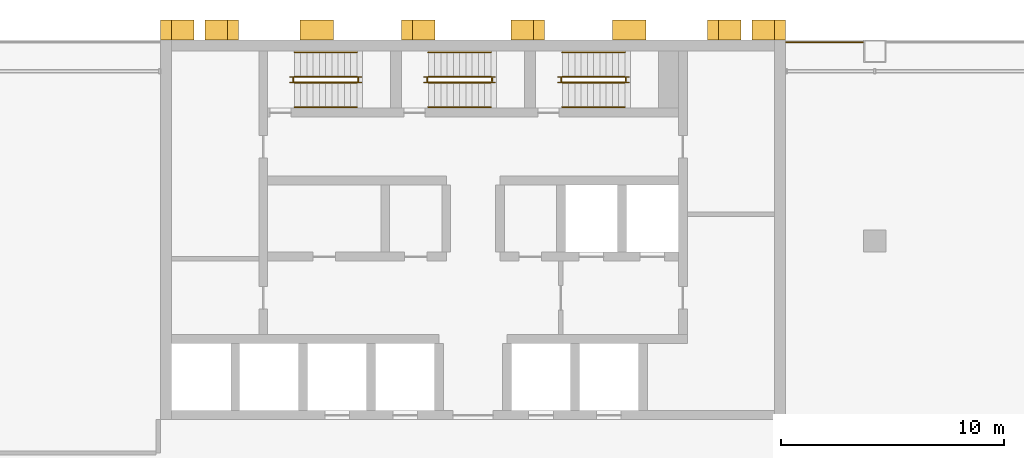
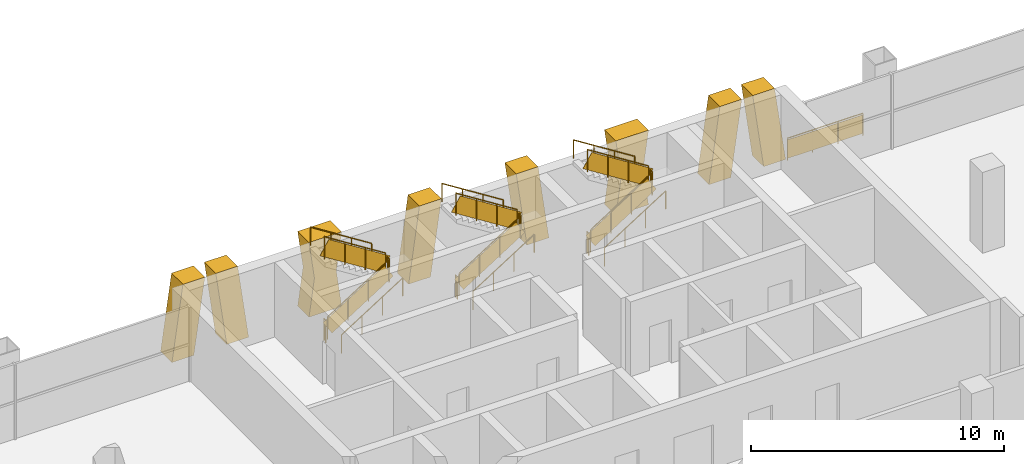
# One storey, part 15 of 16: 19 railings, 8 shading devices.
"""IFC4 building model written with IfcOpenShell, lengths in metres."""

from ifc_helpers import new_model, si_unit, direction, frame, origin, origin_2d, place, context, subcontext, project, spatial, polyline, rectangle, circle, outline, extrude, material, layer, layer_set, type_object, element, save


model = new_model("IFC4")

# Units and contexts
model_context = context("Model", 3, precision=1e-05, world=origin(), true_north=direction((0.0, 1.0)))
body_context = subcontext(model_context, "Body", "Model", "MODEL_VIEW")
ifc_project = project(units=[si_unit("LENGTHUNIT", "METRE"), si_unit("AREAUNIT", "SQUARE_METRE"), si_unit("VOLUMEUNIT", "CUBIC_METRE"), si_unit("PLANEANGLEUNIT", "RADIAN"), si_unit("MASSUNIT", "GRAM", prefix="KILO")], contexts=[model_context])

# Site, building, storey
site_placement = place(None, origin())
site = spatial("IfcSite", under=ifc_project, at=site_placement, CompositionType="ELEMENT")
building_placement = place(site_placement, origin())
building = spatial("IfcBuilding", under=site, at=building_placement, Name="Vidyagriha Tower", CompositionType="ELEMENT")
storey_placement = place(building_placement, frame((0.0, 0.0, 26.0)))
storey = spatial("IfcBuildingStorey", under=building, at=storey_placement, Name="L06", CompositionType="ELEMENT", Elevation=26.0)

# Shading devices
ifc_material_1 = material(Name="Precast concrete C40/50 with brick facing", Category="concrete")
ifc_layer_1 = layer(ifc_material_1, 1.0)
ifc_layer_set_1 = layer_set([ifc_layer_1], Name="Precast concrete C40/50 with brick facing")
shading_device_type_1 = type_object("IfcShadingDeviceType", Name="Brick-faced rear rib arm leaning 8 degrees", PredefinedType="USERDEFINED", material=ifc_layer_set_1)
shading_device_1_placement = place(storey_placement, frame((14.0, 20.449951171875, 0.0), z_axis=(0.0, 0.0, 1.0), x_axis=(-1.0, 0.0, 0.0)))
element("IfcShadingDevice", 1, at=shading_device_1_placement, inside=storey, type_object=shading_device_type_1, Name="Rear rib arm L06 R08.1a", ObjectType="BLADE FIN", PredefinedType="USERDEFINED", context=body_context, shape_type="SweptSolid", body=[
    extrude(outline(polyline([(0.0, 0.0), (1.0, 0.0), (1.5, 3.60009765625), (0.5, 3.60009765625), (0.0, 0.0)])), frame((0.0, 0.449951171875, 0.0), z_axis=(0.0, -1.0, 0.0), x_axis=(1.0, 0.0, 0.0)), (0.0, 0.0, 1.0), 0.89990234375),
])
shading_device_2_placement = place(storey_placement, frame((12.0, 20.449951171875, 0.0), z_axis=(0.0, 0.0, 1.0), x_axis=(-1.0, 0.0, 0.0)))
element("IfcShadingDevice", 2, at=shading_device_2_placement, inside=storey, type_object=shading_device_type_1, Name="Rear rib arm L06 R08.1b", ObjectType="BLADE FIN", PredefinedType="USERDEFINED", context=body_context, shape_type="SweptSolid", body=[
    extrude(outline(polyline([(0.5, 0.0), (1.5, 0.0), (1.0, 3.60009765625), (0.0, 3.60009765625), (0.5, 0.0)])), frame((0.0, 0.449951171875, 0.0), z_axis=(0.0, -1.0, 0.0), x_axis=(1.0, 0.0, 0.0)), (0.0, 0.0, 1.0), 0.89990234375),
])
shading_device_3_placement = place(storey_placement, frame((3.199951171875, 20.449951171875, 0.0), z_axis=(0.0, 0.0, 1.0), x_axis=(-1.0, 0.0, 0.0)))
element("IfcShadingDevice", 3, at=shading_device_3_placement, inside=storey, type_object=shading_device_type_1, Name="Rear rib arm L06 R08.3a", ObjectType="BLADE FIN", PredefinedType="USERDEFINED", context=body_context, shape_type="SweptSolid", body=[
    extrude(outline(polyline([(0.0, 0.0), (1.0, 0.0), (1.490966796875, 3.60009765625), (0.490966796875, 3.60009765625), (0.0, 0.0)])), frame((0.0, 0.449951171875, 0.0), z_axis=(0.0, -1.0, 0.0), x_axis=(1.0, 0.0, 0.0)), (0.0, 0.0, 1.0), 0.89990234375),
])
shading_device_4_placement = place(storey_placement, frame((-1.708984375, 20.449951171875, 0.0), z_axis=(0.0, 0.0, 1.0), x_axis=(-1.0, 0.0, 0.0)))
element("IfcShadingDevice", 4, at=shading_device_4_placement, inside=storey, type_object=shading_device_type_1, Name="Rear rib arm L06 R08.3b", ObjectType="BLADE FIN", PredefinedType="USERDEFINED", context=body_context, shape_type="SweptSolid", body=[
    extrude(outline(polyline([(0.490966796875, 0.0), (1.490966796875, 0.0), (1.0, 3.60009765625), (0.0, 3.60009765625), (0.490966796875, 0.0)])), frame((0.0, 0.449951171875, 0.0), z_axis=(0.0, -1.0, 0.0), x_axis=(1.0, 0.0, 0.0)), (0.0, 0.0, 1.0), 0.89990234375),
])
shading_device_5_placement = place(storey_placement, frame((-10.5, 20.449951171875, 0.0), z_axis=(0.0, 0.0, 1.0), x_axis=(-1.0, 0.0, 0.0)))
element("IfcShadingDevice", 5, at=shading_device_5_placement, inside=storey, type_object=shading_device_type_1, Name="Rear rib arm L06 R08.5a", ObjectType="BLADE FIN", PredefinedType="USERDEFINED", context=body_context, shape_type="SweptSolid", body=[
    extrude(outline(polyline([(0.0, 0.0), (1.0, 0.0), (1.5, 3.60009765625), (0.5, 3.60009765625), (0.0, 0.0)])), frame((0.0, 0.449951171875, 0.0), z_axis=(0.0, -1.0, 0.0), x_axis=(1.0, 0.0, 0.0)), (0.0, 0.0, 1.0), 0.89990234375),
])
shading_device_6_placement = place(storey_placement, frame((-12.5, 20.449951171875, 0.0), z_axis=(0.0, 0.0, 1.0), x_axis=(-1.0, 0.0, 0.0)))
element("IfcShadingDevice", 6, at=shading_device_6_placement, inside=storey, type_object=shading_device_type_1, Name="Rear rib arm L06 R08.5b", ObjectType="BLADE FIN", PredefinedType="USERDEFINED", context=body_context, shape_type="SweptSolid", body=[
    extrude(outline(polyline([(0.5, 0.0), (1.5, 0.0), (1.0, 3.60009765625), (0.0, 3.60009765625), (0.5, 0.0)])), frame((0.0, 0.449951171875, 0.0), z_axis=(0.0, -1.0, 0.0), x_axis=(1.0, 0.0, 0.0)), (0.0, 0.0, 1.0), 0.89990234375),
])
ifc_material_2 = material(Name="Precast concrete C40/50 with brick facing", Category="concrete")
ifc_layer_2 = layer(ifc_material_2, 1.0)
ifc_layer_set_2 = layer_set([ifc_layer_2], Name="Precast concrete C40/50 with brick facing")
shading_device_type_2 = type_object("IfcShadingDeviceType", Name="Brick-faced rear rib forking 8 degrees", PredefinedType="USERDEFINED", material=ifc_layer_set_2)
for number, where, z_axis, x_axis, name in (
    (7, (7.74560546875, 20.449951171875, 0.0), (0.0, 0.0, 1.0), (-1.0, 0.0, 0.0), "Rear rib fork L06 R08.2a"),
    (8, (-6.25439453125, 20.449951171875, 0.0), (0.0, 0.0, 1.0), (-1.0, 0.0, 0.0), "Rear rib fork L06 R08.4a"),
):
    element("IfcShadingDevice", number, at=place(storey_placement, frame(where, z_axis=z_axis, x_axis=x_axis)), inside=storey, type_object=shading_device_type_2, Name=name, ObjectType="BLADE FIN", PredefinedType="USERDEFINED", context=body_context, shape_type="SweptSolid", body=[
        extrude(outline(polyline([(0.0, 0.0), (1.490966796875, 0.0), (1.24560546875, 1.800048828125), (1.490966796875, 3.60009765625), (0.0, 3.60009765625), (0.24560546875, 1.800048828125), (0.0, 0.0)])), frame((0.0, 0.449951171875, 0.0), z_axis=(0.0, -1.0, 0.0), x_axis=(1.0, 0.0, 0.0)), (0.0, 0.0, 1.0), 0.89990234375),
    ])

# Railings
ifc_material_3 = material(Name="Steel ASTM A500 Grade C black painted", Category="steel")
railing_type_1 = type_object("IfcRailingType", Name="Gallery guard 1100", PredefinedType="GUARDRAIL", material=ifc_material_3)
railing_1_placement = place(storey_placement, frame((14.030029296875, 19.89990234375, 0.0)))
element("IfcRailing", 9, at=railing_1_placement, inside=storey, type_object=railing_type_1, Name="Gallery guard L06 4", PredefinedType="GUARDRAIL", context=body_context, shape_type="SweptSolid", body=[
    extrude(circle(Radius=0.02490234375, at=origin_2d()), frame((0.0, 0.0, 1.0751953125), z_axis=(1.0, 0.0, 0.0), x_axis=(0.0, 1.0, 0.0)), (0.0, 0.0, 1.0), 3.43994140625),
    extrude(circle(Radius=0.02001953125, at=origin_2d()), origin(), (0.0, 0.0, 1.0), 1.050048828125),
    extrude(circle(Radius=0.02001953125, at=origin_2d()), frame((1.146728515625, 0.0, 0.0)), (0.0, 0.0, 1.0), 1.050048828125),
    extrude(circle(Radius=0.02001953125, at=origin_2d()), frame((2.293212890625, 0.0, 0.0)), (0.0, 0.0, 1.0), 1.050048828125),
    extrude(circle(Radius=0.02001953125, at=origin_2d()), frame((3.43994140625, 0.0, 0.0)), (0.0, 0.0, 1.0), 1.050048828125),
    extrude(rectangle(XDim=0.010009765625, YDim=0.900146484375, at=origin_2d()), frame((0.0, 0.0, 0.550048828125), z_axis=(1.0, 0.0, 0.0), x_axis=(0.0, 1.0, 0.0)), (0.0, 0.0, 1.0), 3.43994140625),
])
ifc_material_4 = material(Name="Steel ASTM A500 Grade C", Category="steel")
railing_type_2 = type_object("IfcRailingType", Name="Stair guard 1100 mm, steel balustrade", PredefinedType="GUARDRAIL", material=ifc_material_4)
railing_2_placement = place(storey_placement, frame((-8.0, 18.10009765625, 0.17724609375)))
element("IfcRailing", 10, at=railing_2_placement, inside=storey, type_object=railing_type_2, Name="L06 ST1 stair guard 1", PredefinedType="GUARDRAIL", context=body_context, shape_type="SweptSolid", body=[
    extrude(circle(Radius=0.02392578125, at=origin_2d()), frame((0.0, 0.0, 1.076171875), z_axis=(0.844908973607, 0.0, 0.534910110503), x_axis=(0.0, 1.0, 0.0)), (0.0, 0.0, 1.0), 3.31396484375),
    extrude(circle(Radius=0.02099609375, at=origin_2d()), origin(), (0.0, 0.0, 1.0), 1.052001953125),
    extrude(circle(Radius=0.02099609375, at=origin_2d()), frame((0.933349609375, 0.0, 0.5908203125)), (0.0, 0.0, 1.0), 1.052001953125),
    extrude(circle(Radius=0.02099609375, at=origin_2d()), frame((1.86669921875, 0.0, 1.181884765625)), (0.0, 0.0, 1.0), 1.052001953125),
    extrude(circle(Radius=0.02099609375, at=origin_2d()), frame((2.800048828125, 0.0, 1.772705078125)), (0.0, 0.0, 1.0), 1.052001953125),
    extrude(rectangle(XDim=0.010009765625, YDim=0.76220703125, at=origin_2d()), frame((0.0, 0.0, 0.551025390625), z_axis=(0.844908973607, 0.0, 0.534910110503), x_axis=(0.0, 1.0, 0.0)), (0.0, 0.0, 1.0), 3.31396484375),
])
railing_3_placement = place(storey_placement, frame((-5.14990234375, 18.14990234375, 1.949951171875)))
element("IfcRailing", 11, at=railing_3_placement, inside=storey, type_object=railing_type_2, Name="L06 ST1 stair guard 2", PredefinedType="GUARDRAIL", context=body_context, shape_type="SweptSolid", body=[
    extrude(circle(Radius=0.02392578125, at=origin_2d()), frame((0.0, 0.0, 1.076171875), z_axis=(0.0, 1.0, 0.0), x_axis=(-1.0, 0.0, 0.0)), (0.0, 0.0, 1.0), 0.150146484375),
    extrude(circle(Radius=0.02099609375, at=origin_2d()), origin(), (0.0, 0.0, 1.0), 1.052001953125),
    extrude(circle(Radius=0.02099609375, at=origin_2d()), frame((0.0, 0.150146484375, 0.0)), (0.0, 0.0, 1.0), 1.052001953125),
    extrude(rectangle(XDim=0.010009765625, YDim=0.902099609375, at=origin_2d()), frame((0.0, 0.0, 0.551025390625), z_axis=(0.0, 1.0, 0.0), x_axis=(-1.0, 0.0, 0.0)), (0.0, 0.0, 1.0), 0.150146484375),
])
railing_4_placement = place(storey_placement, frame((-5.199951171875, 18.35009765625, 2.127197265625)))
element("IfcRailing", 12, at=railing_4_placement, inside=storey, type_object=railing_type_2, Name="L06 ST1 stair guard 3", PredefinedType="GUARDRAIL", context=body_context, shape_type="SweptSolid", body=[
    extrude(circle(Radius=0.02392578125, at=origin_2d()), frame((0.0, 0.0, 1.076171875), z_axis=(-0.844908973607, 0.0, 0.534910110503), x_axis=(0.0, -1.0, 0.0)), (0.0, 0.0, 1.0), 3.31396484375),
    extrude(circle(Radius=0.02099609375, at=origin_2d()), origin(), (0.0, 0.0, 1.0), 1.052001953125),
    extrude(circle(Radius=0.02099609375, at=origin_2d()), frame((-0.933349609375, 0.0, 0.5908203125)), (0.0, 0.0, 1.0), 1.052001953125),
    extrude(circle(Radius=0.02099609375, at=origin_2d()), frame((-1.86669921875, 0.0, 1.181884765625)), (0.0, 0.0, 1.0), 1.052001953125),
    extrude(circle(Radius=0.02099609375, at=origin_2d()), frame((-2.800048828125, 0.0, 1.772705078125)), (0.0, 0.0, 1.0), 1.052001953125),
    extrude(rectangle(XDim=0.010009765625, YDim=0.76220703125, at=origin_2d()), frame((0.0, 0.0, 0.551025390625), z_axis=(-0.844908973607, 0.0, 0.534910110503), x_axis=(0.0, -1.0, 0.0)), (0.0, 0.0, 1.0), 3.31396484375),
])
railing_5_placement = place(storey_placement, frame((-8.050048828125, 18.14990234375, 0.0)))
element("IfcRailing", 13, at=railing_5_placement, inside=storey, type_object=railing_type_2, Name="L06 ST1 stair guard 4", PredefinedType="GUARDRAIL", context=body_context, shape_type="SweptSolid", body=[
    extrude(circle(Radius=0.02392578125, at=origin_2d()), frame((0.0, 0.0, 1.076171875), z_axis=(0.0, 1.0, 0.0), x_axis=(-1.0, 0.0, 0.0)), (0.0, 0.0, 1.0), 0.150146484375),
    extrude(circle(Radius=0.02099609375, at=origin_2d()), origin(), (0.0, 0.0, 1.0), 1.052001953125),
    extrude(circle(Radius=0.02099609375, at=origin_2d()), frame((0.0, 0.150146484375, 0.0)), (0.0, 0.0, 1.0), 1.052001953125),
    extrude(rectangle(XDim=0.010009765625, YDim=0.902099609375, at=origin_2d()), frame((0.0, 0.0, 0.551025390625), z_axis=(0.0, 1.0, 0.0), x_axis=(-1.0, 0.0, 0.0)), (0.0, 0.0, 1.0), 0.150146484375),
])
railing_6_placement = place(storey_placement, frame((-2.0, 18.10009765625, 0.17724609375)))
element("IfcRailing", 14, at=railing_6_placement, inside=storey, type_object=railing_type_2, Name="L06 ST2 stair guard 1", PredefinedType="GUARDRAIL", context=body_context, shape_type="SweptSolid", body=[
    extrude(circle(Radius=0.02392578125, at=origin_2d()), frame((0.0, 0.0, 1.076171875), z_axis=(0.844908973607, 0.0, 0.534910110503), x_axis=(0.0, 1.0, 0.0)), (0.0, 0.0, 1.0), 3.31396484375),
    extrude(circle(Radius=0.02099609375, at=origin_2d()), origin(), (0.0, 0.0, 1.0), 1.052001953125),
    extrude(circle(Radius=0.02099609375, at=origin_2d()), frame((0.933349609375, 0.0, 0.5908203125)), (0.0, 0.0, 1.0), 1.052001953125),
    extrude(circle(Radius=0.02099609375, at=origin_2d()), frame((1.86669921875, 0.0, 1.181884765625)), (0.0, 0.0, 1.0), 1.052001953125),
    extrude(circle(Radius=0.02099609375, at=origin_2d()), frame((2.800048828125, 0.0, 1.772705078125)), (0.0, 0.0, 1.0), 1.052001953125),
    extrude(rectangle(XDim=0.010009765625, YDim=0.76220703125, at=origin_2d()), frame((0.0, 0.0, 0.551025390625), z_axis=(0.844908973607, 0.0, 0.534910110503), x_axis=(0.0, 1.0, 0.0)), (0.0, 0.0, 1.0), 3.31396484375),
])
railing_7_placement = place(storey_placement, frame((0.85009765625, 18.14990234375, 1.949951171875)))
element("IfcRailing", 15, at=railing_7_placement, inside=storey, type_object=railing_type_2, Name="L06 ST2 stair guard 2", PredefinedType="GUARDRAIL", context=body_context, shape_type="SweptSolid", body=[
    extrude(circle(Radius=0.02392578125, at=origin_2d()), frame((0.0, 0.0, 1.076171875), z_axis=(0.0, 1.0, 0.0), x_axis=(-1.0, 0.0, 0.0)), (0.0, 0.0, 1.0), 0.150146484375),
    extrude(circle(Radius=0.02099609375, at=origin_2d()), origin(), (0.0, 0.0, 1.0), 1.052001953125),
    extrude(circle(Radius=0.02099609375, at=origin_2d()), frame((0.0, 0.150146484375, 0.0)), (0.0, 0.0, 1.0), 1.052001953125),
    extrude(rectangle(XDim=0.010009765625, YDim=0.902099609375, at=origin_2d()), frame((0.0, 0.0, 0.551025390625), z_axis=(0.0, 1.0, 0.0), x_axis=(-1.0, 0.0, 0.0)), (0.0, 0.0, 1.0), 0.150146484375),
])
railing_8_placement = place(storey_placement, frame((0.800048828125, 18.35009765625, 2.127197265625)))
element("IfcRailing", 16, at=railing_8_placement, inside=storey, type_object=railing_type_2, Name="L06 ST2 stair guard 3", PredefinedType="GUARDRAIL", context=body_context, shape_type="SweptSolid", body=[
    extrude(circle(Radius=0.02392578125, at=origin_2d()), frame((0.0, 0.0, 1.076171875), z_axis=(-0.844908973607, 0.0, 0.534910110503), x_axis=(0.0, -1.0, 0.0)), (0.0, 0.0, 1.0), 3.31396484375),
    extrude(circle(Radius=0.02099609375, at=origin_2d()), origin(), (0.0, 0.0, 1.0), 1.052001953125),
    extrude(circle(Radius=0.02099609375, at=origin_2d()), frame((-0.933349609375, 0.0, 0.5908203125)), (0.0, 0.0, 1.0), 1.052001953125),
    extrude(circle(Radius=0.02099609375, at=origin_2d()), frame((-1.86669921875, 0.0, 1.181884765625)), (0.0, 0.0, 1.0), 1.052001953125),
    extrude(circle(Radius=0.02099609375, at=origin_2d()), frame((-2.800048828125, 0.0, 1.772705078125)), (0.0, 0.0, 1.0), 1.052001953125),
    extrude(rectangle(XDim=0.010009765625, YDim=0.76220703125, at=origin_2d()), frame((0.0, 0.0, 0.551025390625), z_axis=(-0.844908973607, 0.0, 0.534910110503), x_axis=(0.0, -1.0, 0.0)), (0.0, 0.0, 1.0), 3.31396484375),
])
railing_9_placement = place(storey_placement, frame((-2.050048828125, 18.14990234375, 0.0)))
element("IfcRailing", 17, at=railing_9_placement, inside=storey, type_object=railing_type_2, Name="L06 ST2 stair guard 4", PredefinedType="GUARDRAIL", context=body_context, shape_type="SweptSolid", body=[
    extrude(circle(Radius=0.02392578125, at=origin_2d()), frame((0.0, 0.0, 1.076171875), z_axis=(0.0, 1.0, 0.0), x_axis=(-1.0, 0.0, 0.0)), (0.0, 0.0, 1.0), 0.150146484375),
    extrude(circle(Radius=0.02099609375, at=origin_2d()), origin(), (0.0, 0.0, 1.0), 1.052001953125),
    extrude(circle(Radius=0.02099609375, at=origin_2d()), frame((0.0, 0.150146484375, 0.0)), (0.0, 0.0, 1.0), 1.052001953125),
    extrude(rectangle(XDim=0.010009765625, YDim=0.902099609375, at=origin_2d()), frame((0.0, 0.0, 0.551025390625), z_axis=(0.0, 1.0, 0.0), x_axis=(-1.0, 0.0, 0.0)), (0.0, 0.0, 1.0), 0.150146484375),
])
railing_10_placement = place(storey_placement, frame((4.0, 18.10009765625, 0.17724609375)))
element("IfcRailing", 18, at=railing_10_placement, inside=storey, type_object=railing_type_2, Name="L06 ST3 stair guard 1", PredefinedType="GUARDRAIL", context=body_context, shape_type="SweptSolid", body=[
    extrude(circle(Radius=0.02392578125, at=origin_2d()), frame((0.0, 0.0, 1.076171875), z_axis=(0.844908973607, 0.0, 0.534910110503), x_axis=(0.0, 1.0, 0.0)), (0.0, 0.0, 1.0), 3.31396484375),
    extrude(circle(Radius=0.02099609375, at=origin_2d()), origin(), (0.0, 0.0, 1.0), 1.052001953125),
    extrude(circle(Radius=0.02099609375, at=origin_2d()), frame((0.933349609375, 0.0, 0.5908203125)), (0.0, 0.0, 1.0), 1.052001953125),
    extrude(circle(Radius=0.02099609375, at=origin_2d()), frame((1.86669921875, 0.0, 1.181884765625)), (0.0, 0.0, 1.0), 1.052001953125),
    extrude(circle(Radius=0.02099609375, at=origin_2d()), frame((2.800048828125, 0.0, 1.772705078125)), (0.0, 0.0, 1.0), 1.052001953125),
    extrude(rectangle(XDim=0.010009765625, YDim=0.76220703125, at=origin_2d()), frame((0.0, 0.0, 0.551025390625), z_axis=(0.844908973607, 0.0, 0.534910110503), x_axis=(0.0, 1.0, 0.0)), (0.0, 0.0, 1.0), 3.31396484375),
])
railing_11_placement = place(storey_placement, frame((6.85009765625, 18.14990234375, 1.949951171875)))
element("IfcRailing", 19, at=railing_11_placement, inside=storey, type_object=railing_type_2, Name="L06 ST3 stair guard 2", PredefinedType="GUARDRAIL", context=body_context, shape_type="SweptSolid", body=[
    extrude(circle(Radius=0.02392578125, at=origin_2d()), frame((0.0, 0.0, 1.076171875), z_axis=(0.0, 1.0, 0.0), x_axis=(-1.0, 0.0, 0.0)), (0.0, 0.0, 1.0), 0.150146484375),
    extrude(circle(Radius=0.02099609375, at=origin_2d()), origin(), (0.0, 0.0, 1.0), 1.052001953125),
    extrude(circle(Radius=0.02099609375, at=origin_2d()), frame((0.0, 0.150146484375, 0.0)), (0.0, 0.0, 1.0), 1.052001953125),
    extrude(rectangle(XDim=0.010009765625, YDim=0.902099609375, at=origin_2d()), frame((0.0, 0.0, 0.551025390625), z_axis=(0.0, 1.0, 0.0), x_axis=(-1.0, 0.0, 0.0)), (0.0, 0.0, 1.0), 0.150146484375),
])
railing_12_placement = place(storey_placement, frame((6.800048828125, 18.35009765625, 2.127197265625)))
element("IfcRailing", 20, at=railing_12_placement, inside=storey, type_object=railing_type_2, Name="L06 ST3 stair guard 3", PredefinedType="GUARDRAIL", context=body_context, shape_type="SweptSolid", body=[
    extrude(circle(Radius=0.02392578125, at=origin_2d()), frame((0.0, 0.0, 1.076171875), z_axis=(-0.844908973607, 0.0, 0.534910110503), x_axis=(0.0, -1.0, 0.0)), (0.0, 0.0, 1.0), 3.31396484375),
    extrude(circle(Radius=0.02099609375, at=origin_2d()), origin(), (0.0, 0.0, 1.0), 1.052001953125),
    extrude(circle(Radius=0.02099609375, at=origin_2d()), frame((-0.933349609375, 0.0, 0.5908203125)), (0.0, 0.0, 1.0), 1.052001953125),
    extrude(circle(Radius=0.02099609375, at=origin_2d()), frame((-1.86669921875, 0.0, 1.181884765625)), (0.0, 0.0, 1.0), 1.052001953125),
    extrude(circle(Radius=0.02099609375, at=origin_2d()), frame((-2.800048828125, 0.0, 1.772705078125)), (0.0, 0.0, 1.0), 1.052001953125),
    extrude(rectangle(XDim=0.010009765625, YDim=0.76220703125, at=origin_2d()), frame((0.0, 0.0, 0.551025390625), z_axis=(-0.844908973607, 0.0, 0.534910110503), x_axis=(0.0, -1.0, 0.0)), (0.0, 0.0, 1.0), 3.31396484375),
])
railing_13_placement = place(storey_placement, frame((3.949951171875, 18.14990234375, 0.0)))
element("IfcRailing", 21, at=railing_13_placement, inside=storey, type_object=railing_type_2, Name="L06 ST3 stair guard 4", PredefinedType="GUARDRAIL", context=body_context, shape_type="SweptSolid", body=[
    extrude(circle(Radius=0.02392578125, at=origin_2d()), frame((0.0, 0.0, 1.076171875), z_axis=(0.0, 1.0, 0.0), x_axis=(-1.0, 0.0, 0.0)), (0.0, 0.0, 1.0), 0.150146484375),
    extrude(circle(Radius=0.02099609375, at=origin_2d()), origin(), (0.0, 0.0, 1.0), 1.052001953125),
    extrude(circle(Radius=0.02099609375, at=origin_2d()), frame((0.0, 0.150146484375, 0.0)), (0.0, 0.0, 1.0), 1.052001953125),
    extrude(rectangle(XDim=0.010009765625, YDim=0.902099609375, at=origin_2d()), frame((0.0, 0.0, 0.551025390625), z_axis=(0.0, 1.0, 0.0), x_axis=(-1.0, 0.0, 0.0)), (0.0, 0.0, 1.0), 0.150146484375),
])
ifc_material_5 = material(Name="Steel ASTM A500 Grade C", Category="steel")
railing_type_3 = type_object("IfcRailingType", Name="Stair handrail 900 mm, steel", PredefinedType="HANDRAIL", material=ifc_material_5)
railing_14_placement = place(storey_placement, frame((-8.0, 17.0, 0.17724609375)))
element("IfcRailing", 22, at=railing_14_placement, inside=storey, type_object=railing_type_3, Name="L06 ST1 stair handrail 1", PredefinedType="HANDRAIL", context=body_context, shape_type="SweptSolid", body=[
    extrude(circle(Radius=0.02392578125, at=origin_2d()), frame((0.0, 0.0, 0.8759765625), z_axis=(0.844908973607, 0.0, 0.534910110503), x_axis=(0.0, 1.0, 0.0)), (0.0, 0.0, 1.0), 3.31396484375),
    extrude(circle(Radius=0.02099609375, at=origin_2d()), origin(), (0.0, 0.0, 1.0), 0.851806640625),
    extrude(circle(Radius=0.02099609375, at=origin_2d()), frame((0.933349609375, 0.0, 0.5908203125)), (0.0, 0.0, 1.0), 0.851806640625),
    extrude(circle(Radius=0.02099609375, at=origin_2d()), frame((1.86669921875, 0.0, 1.181884765625)), (0.0, 0.0, 1.0), 0.851806640625),
    extrude(circle(Radius=0.02099609375, at=origin_2d()), frame((2.800048828125, 0.0, 1.772705078125)), (0.0, 0.0, 1.0), 0.851806640625),
])
railing_15_placement = place(storey_placement, frame((-5.199951171875, 19.449951171875, 2.127197265625)))
element("IfcRailing", 23, at=railing_15_placement, inside=storey, type_object=railing_type_3, Name="L06 ST1 stair handrail 2", PredefinedType="HANDRAIL", context=body_context, shape_type="SweptSolid", body=[
    extrude(circle(Radius=0.02392578125, at=origin_2d()), frame((0.0, 0.0, 0.8759765625), z_axis=(-0.844908973607, 0.0, 0.534910110503), x_axis=(0.0, -1.0, 0.0)), (0.0, 0.0, 1.0), 3.31396484375),
    extrude(circle(Radius=0.02099609375, at=origin_2d()), origin(), (0.0, 0.0, 1.0), 0.851806640625),
    extrude(circle(Radius=0.02099609375, at=origin_2d()), frame((-0.933349609375, 0.0, 0.5908203125)), (0.0, 0.0, 1.0), 0.851806640625),
    extrude(circle(Radius=0.02099609375, at=origin_2d()), frame((-1.86669921875, 0.0, 1.181884765625)), (0.0, 0.0, 1.0), 0.851806640625),
    extrude(circle(Radius=0.02099609375, at=origin_2d()), frame((-2.800048828125, 0.0, 1.772705078125)), (0.0, 0.0, 1.0), 0.851806640625),
])
railing_16_placement = place(storey_placement, frame((-2.0, 17.0, 0.17724609375)))
element("IfcRailing", 24, at=railing_16_placement, inside=storey, type_object=railing_type_3, Name="L06 ST2 stair handrail 1", PredefinedType="HANDRAIL", context=body_context, shape_type="SweptSolid", body=[
    extrude(circle(Radius=0.02392578125, at=origin_2d()), frame((0.0, 0.0, 0.8759765625), z_axis=(0.844908973607, 0.0, 0.534910110503), x_axis=(0.0, 1.0, 0.0)), (0.0, 0.0, 1.0), 3.31396484375),
    extrude(circle(Radius=0.02099609375, at=origin_2d()), origin(), (0.0, 0.0, 1.0), 0.851806640625),
    extrude(circle(Radius=0.02099609375, at=origin_2d()), frame((0.933349609375, 0.0, 0.5908203125)), (0.0, 0.0, 1.0), 0.851806640625),
    extrude(circle(Radius=0.02099609375, at=origin_2d()), frame((1.86669921875, 0.0, 1.181884765625)), (0.0, 0.0, 1.0), 0.851806640625),
    extrude(circle(Radius=0.02099609375, at=origin_2d()), frame((2.800048828125, 0.0, 1.772705078125)), (0.0, 0.0, 1.0), 0.851806640625),
])
railing_17_placement = place(storey_placement, frame((0.800048828125, 19.449951171875, 2.127197265625)))
element("IfcRailing", 25, at=railing_17_placement, inside=storey, type_object=railing_type_3, Name="L06 ST2 stair handrail 2", PredefinedType="HANDRAIL", context=body_context, shape_type="SweptSolid", body=[
    extrude(circle(Radius=0.02392578125, at=origin_2d()), frame((0.0, 0.0, 0.8759765625), z_axis=(-0.844908973607, 0.0, 0.534910110503), x_axis=(0.0, -1.0, 0.0)), (0.0, 0.0, 1.0), 3.31396484375),
    extrude(circle(Radius=0.02099609375, at=origin_2d()), origin(), (0.0, 0.0, 1.0), 0.851806640625),
    extrude(circle(Radius=0.02099609375, at=origin_2d()), frame((-0.933349609375, 0.0, 0.5908203125)), (0.0, 0.0, 1.0), 0.851806640625),
    extrude(circle(Radius=0.02099609375, at=origin_2d()), frame((-1.86669921875, 0.0, 1.181884765625)), (0.0, 0.0, 1.0), 0.851806640625),
    extrude(circle(Radius=0.02099609375, at=origin_2d()), frame((-2.800048828125, 0.0, 1.772705078125)), (0.0, 0.0, 1.0), 0.851806640625),
])
railing_18_placement = place(storey_placement, frame((4.0, 17.0, 0.17724609375)))
element("IfcRailing", 26, at=railing_18_placement, inside=storey, type_object=railing_type_3, Name="L06 ST3 stair handrail 1", PredefinedType="HANDRAIL", context=body_context, shape_type="SweptSolid", body=[
    extrude(circle(Radius=0.02392578125, at=origin_2d()), frame((0.0, 0.0, 0.8759765625), z_axis=(0.844908973607, 0.0, 0.534910110503), x_axis=(0.0, 1.0, 0.0)), (0.0, 0.0, 1.0), 3.31396484375),
    extrude(circle(Radius=0.02099609375, at=origin_2d()), origin(), (0.0, 0.0, 1.0), 0.851806640625),
    extrude(circle(Radius=0.02099609375, at=origin_2d()), frame((0.933349609375, 0.0, 0.5908203125)), (0.0, 0.0, 1.0), 0.851806640625),
    extrude(circle(Radius=0.02099609375, at=origin_2d()), frame((1.86669921875, 0.0, 1.181884765625)), (0.0, 0.0, 1.0), 0.851806640625),
    extrude(circle(Radius=0.02099609375, at=origin_2d()), frame((2.800048828125, 0.0, 1.772705078125)), (0.0, 0.0, 1.0), 0.851806640625),
])
railing_19_placement = place(storey_placement, frame((6.800048828125, 19.449951171875, 2.127197265625)))
element("IfcRailing", 27, at=railing_19_placement, inside=storey, type_object=railing_type_3, Name="L06 ST3 stair handrail 2", PredefinedType="HANDRAIL", context=body_context, shape_type="SweptSolid", body=[
    extrude(circle(Radius=0.02392578125, at=origin_2d()), frame((0.0, 0.0, 0.8759765625), z_axis=(-0.844908973607, 0.0, 0.534910110503), x_axis=(0.0, -1.0, 0.0)), (0.0, 0.0, 1.0), 3.31396484375),
    extrude(circle(Radius=0.02099609375, at=origin_2d()), origin(), (0.0, 0.0, 1.0), 0.851806640625),
    extrude(circle(Radius=0.02099609375, at=origin_2d()), frame((-0.933349609375, 0.0, 0.5908203125)), (0.0, 0.0, 1.0), 0.851806640625),
    extrude(circle(Radius=0.02099609375, at=origin_2d()), frame((-1.86669921875, 0.0, 1.181884765625)), (0.0, 0.0, 1.0), 0.851806640625),
    extrude(circle(Radius=0.02099609375, at=origin_2d()), frame((-2.800048828125, 0.0, 1.772705078125)), (0.0, 0.0, 1.0), 0.851806640625),
])

save(model, "model.ifc")
